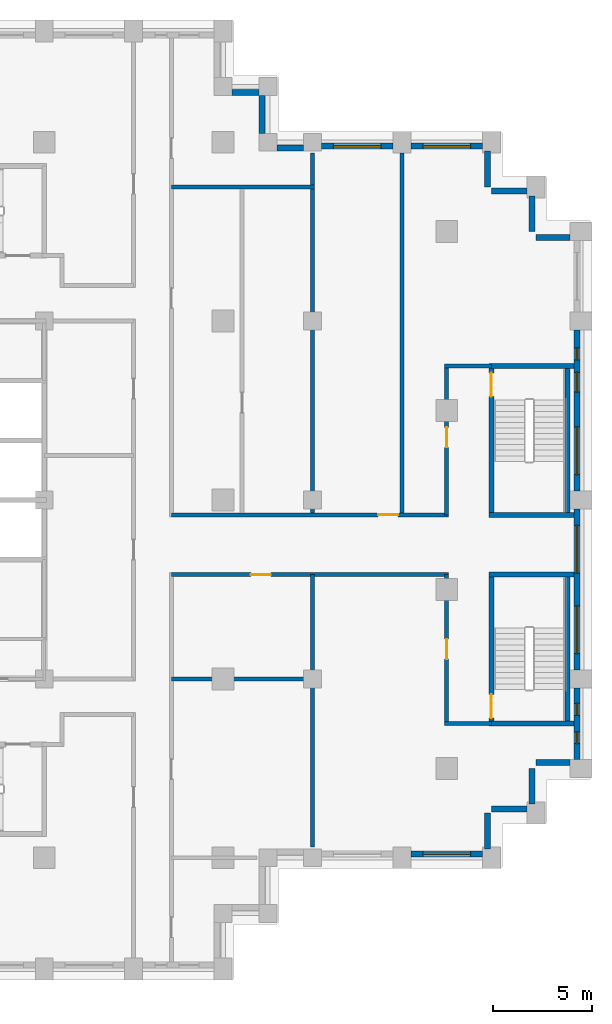
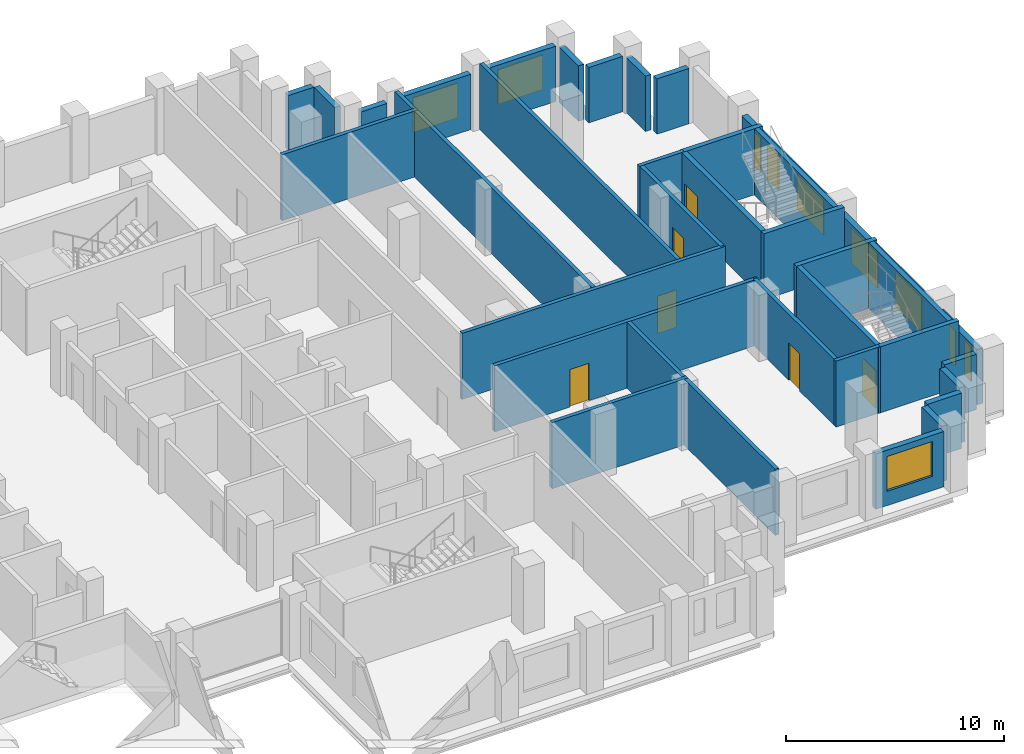
# One storey, part 12 of 16: 36 walls, 10 windows, 6 doors, 16 openings.
"""IFC4 building model written with IfcOpenShell, lengths in metres."""

from ifc_helpers import new_model, si_unit, direction, frame, frame_2d, origin, place, context, subcontext, project, spatial, rectangle, extrude, material, layer, layer_set, type_object, element, fill, save


model = new_model("IFC4")

# Units and contexts
model_context = context("Model", 3, precision=1e-05, world=origin(), true_north=direction((0.0, 1.0)))
body_context = subcontext(model_context, "Body", "Model", "MODEL_VIEW")
ifc_project = project(units=[si_unit("LENGTHUNIT", "METRE"), si_unit("AREAUNIT", "SQUARE_METRE"), si_unit("VOLUMEUNIT", "CUBIC_METRE"), si_unit("PLANEANGLEUNIT", "RADIAN"), si_unit("MASSUNIT", "GRAM", prefix="KILO")], contexts=[model_context])

# Site, building, storey
site_placement = place(None, origin())
site = spatial("IfcSite", under=ifc_project, at=site_placement, CompositionType="ELEMENT")
building_placement = place(site_placement, origin())
building = spatial("IfcBuilding", under=site, at=building_placement, Name="Corbelhall Arena Tower", CompositionType="ELEMENT")
storey_placement = place(building_placement, frame((0.0, 0.0, 154.0)))
storey = spatial("IfcBuildingStorey", under=building, at=storey_placement, Name="L30", CompositionType="ELEMENT", Elevation=154.0)

# Walls
ifc_material_1 = material(Name="Precast concrete C40/50 with granite facing", Category="masonry")
ifc_layer_1 = layer(ifc_material_1, 0.300048828125)
ifc_layer_set_1 = layer_set([ifc_layer_1], Name="EV-IW1 Infill panel 300")
wall_type_1 = type_object("IfcWallType", Name="EV-IW1 Infill panel 300", PredefinedType="SOLIDWALL", material=ifc_layer_set_1)
for number, where, z_axis, x_axis, name in (
    (1, (35.800048828125, -17.550048828125, 0.0), (0.0, 0.0, 1.0), (0.0, 1.0, 0.0), "Infill panel IW1"),
    (2, (37.800048828125, -15.550048828125, 0.0), (0.0, 0.0, 1.0), (-1.0, 0.0, 0.0), "Infill panel IW1"),
    (3, (38.050048828125, -15.300048828125, 0.0), (0.0, 0.0, 1.0), (0.0, 1.0, 0.0), "Infill panel IW1"),
):
    element("IfcWall", number, at=place(storey_placement, frame(where, z_axis=z_axis, x_axis=x_axis)), inside=storey, type_object=wall_type_1, Name=name, PredefinedType="SOLIDWALL", context=body_context, shape_type="SweptSolid", body=[
        extrude(rectangle(XDim=1.800048828125, YDim=0.300048828125, at=frame_2d((0.89990234375, 0.0))), origin(), (0.0, 0.0, 1.0), 3.10009765625),
    ])
for number, where, z_axis, x_axis, name in (
    (4, (39.949951171875, -13.199951171875, 0.0), (0.0, 0.0, 1.0), (-1.0, 0.0, 0.0), "Infill panel IW1"),
    (5, (39.949951171875, 13.199951171875, 0.0), (0.0, 0.0, 1.0), (-1.0, 0.0, 0.0), "Infill panel IW1"),
):
    element("IfcWall", number, at=place(storey_placement, frame(where, z_axis=z_axis, x_axis=x_axis)), inside=storey, type_object=wall_type_1, Name=name, PredefinedType="SOLIDWALL", context=body_context, shape_type="SweptSolid", body=[
        extrude(rectangle(XDim=1.699951171875, YDim=0.300048828125, at=frame_2d((0.85009765625, 0.0))), origin(), (0.0, 0.0, 1.0), 3.10009765625),
    ])
for number, where, z_axis, x_axis, name in (
    (6, (38.050048828125, 15.300048828125, 0.0), (0.0, 0.0, 1.0), (0.0, -1.0, 0.0), "Infill panel IW1"),
    (7, (37.800048828125, 15.550048828125, 0.0), (0.0, 0.0, 1.0), (-1.0, 0.0, 0.0), "Infill panel IW1"),
    (8, (35.800048828125, 17.550048828125, 0.0), (0.0, 0.0, 1.0), (0.0, -1.0, 0.0), "Infill panel IW1"),
):
    element("IfcWall", number, at=place(storey_placement, frame(where, z_axis=z_axis, x_axis=x_axis)), inside=storey, type_object=wall_type_1, Name=name, PredefinedType="SOLIDWALL", context=body_context, shape_type="SweptSolid", body=[
        extrude(rectangle(XDim=1.800048828125, YDim=0.300048828125, at=frame_2d((0.89990234375, 0.0))), origin(), (0.0, 0.0, 1.0), 3.10009765625),
    ])

# Wall, opening, window
wall_1_placement = place(storey_placement, frame((31.949951171875, -17.800048828125, 0.0), z_axis=(0.0, 0.0, 1.0), x_axis=(1.0, 0.0, 0.0)))
wall_1 = element("IfcWall", 9, at=wall_1_placement, inside=storey, type_object=wall_type_1, Name="Infill panel IW1", PredefinedType="SOLIDWALL", context=body_context, shape_type="SweptSolid", body=[
    extrude(rectangle(XDim=3.60009765625, YDim=0.300048828125, at=frame_2d((1.800048828125, 0.0))), origin(), (0.0, 0.0, 1.0), 3.10009765625),
])
opening_1_placement = place(wall_1_placement, frame((0.60009765625, 0.0, 0.800048828125)))
opening_1 = element("IfcOpeningElement", 10, at=opening_1_placement, cuts=wall_1, Name="Opening WN1", PredefinedType="OPENING", context=body_context, shape_type="SweptSolid", body=[
    extrude(rectangle(XDim=2.39990234375, YDim=1.949951171875, at=frame_2d((1.199951171875, 0.97509765625))), frame((0.0, 0.14990234375, 0.0), z_axis=(0.0, -1.0, 0.0), x_axis=(1.0, 0.0, 0.0)), (0.0, 0.0, 1.0), 0.300048828125),
])
ifc_material_2 = material(Name="Aluminium black anodised", Category="aluminium")
window_type_1 = type_object("IfcWindowType", Name="EV-WN1 Office window", PartitioningType="SINGLE_PANEL", PredefinedType="WINDOW", material=ifc_material_2)
window_1_placement = place(opening_1_placement, origin())
window_1 = element("IfcWindow", 11, at=window_1_placement, inside=storey, type_object=window_type_1, Name="Window WN1", OverallHeight=1.949951171875, OverallWidth=2.39990234375, PartitioningType="SINGLE_PANEL", PredefinedType="WINDOW", context=body_context, shape_type="SweptSolid", body=[
    extrude(rectangle(XDim=2.39990234375, YDim=1.949951171875, at=frame_2d((1.199951171875, 0.97509765625))), frame((0.0, 0.030029296875, 0.0), z_axis=(0.0, -1.0, 0.0), x_axis=(1.0, 0.0, 0.0)), (0.0, 0.0, 1.0), 0.06005859375),
])
fill(opening_1, window_1)

# Wall, openings, windows
wall_2_placement = place(storey_placement, frame((40.300048828125, -13.050048828125, 0.0), z_axis=(0.0, 0.0, 1.0), x_axis=(0.0, 1.0, 0.0)))
wall_2 = element("IfcWall", 12, at=wall_2_placement, inside=storey, type_object=wall_type_1, Name="Infill panel IW1", PredefinedType="SOLIDWALL", context=body_context, shape_type="SweptSolid", body=[
    extrude(rectangle(XDim=3.60009765625, YDim=0.300048828125, at=frame_2d((1.800048828125, 0.0))), origin(), (0.0, 0.0, 1.0), 3.10009765625),
])
opening_2_placement = place(wall_2_placement, frame((0.78759765625, 0.0, 0.800048828125)))
opening_2 = element("IfcOpeningElement", 13, at=opening_2_placement, cuts=wall_2, Name="Opening WN5", PredefinedType="OPENING", context=body_context, shape_type="SweptSolid", body=[
    extrude(rectangle(XDim=0.60009765625, YDim=1.949951171875, at=frame_2d((0.300048828125, 0.97509765625))), frame((0.0, 0.14990234375, 0.0), z_axis=(0.0, -1.0, 0.0), x_axis=(1.0, 0.0, 0.0)), (0.0, 0.0, 1.0), 0.300048828125),
])
opening_3_placement = place(wall_2_placement, frame((2.21240234375, 0.0, 0.800048828125)))
opening_3 = element("IfcOpeningElement", 14, at=opening_3_placement, cuts=wall_2, Name="Opening WN5", PredefinedType="OPENING", context=body_context, shape_type="SweptSolid", body=[
    extrude(rectangle(XDim=0.60009765625, YDim=1.949951171875, at=frame_2d((0.300048828125, 0.97509765625))), frame((0.0, 0.14990234375, 0.0), z_axis=(0.0, -1.0, 0.0), x_axis=(1.0, 0.0, 0.0)), (0.0, 0.0, 1.0), 0.300048828125),
])
window_type_2 = type_object("IfcWindowType", Name="EV-WN5 Office window 600", PartitioningType="SINGLE_PANEL", PredefinedType="WINDOW", material=ifc_material_2)
window_2_placement = place(opening_2_placement, origin())
window_2 = element("IfcWindow", 15, at=window_2_placement, inside=storey, type_object=window_type_2, Name="Window WN5", OverallHeight=1.949951171875, OverallWidth=0.60009765625, PartitioningType="SINGLE_PANEL", PredefinedType="WINDOW", context=body_context, shape_type="SweptSolid", body=[
    extrude(rectangle(XDim=0.60009765625, YDim=1.949951171875, at=frame_2d((0.300048828125, 0.97509765625))), frame((0.0, 0.030029296875, 0.0), z_axis=(0.0, -1.0, 0.0), x_axis=(1.0, 0.0, 0.0)), (0.0, 0.0, 1.0), 0.06005859375),
])
fill(opening_2, window_2)
window_3_placement = place(opening_3_placement, origin())
window_3 = element("IfcWindow", 16, at=window_3_placement, inside=storey, type_object=window_type_2, Name="Window WN5", OverallHeight=1.949951171875, OverallWidth=0.60009765625, PartitioningType="SINGLE_PANEL", PredefinedType="WINDOW", context=body_context, shape_type="SweptSolid", body=[
    extrude(rectangle(XDim=0.60009765625, YDim=1.949951171875, at=frame_2d((0.300048828125, 0.97509765625))), frame((0.0, 0.030029296875, 0.0), z_axis=(0.0, -1.0, 0.0), x_axis=(1.0, 0.0, 0.0)), (0.0, 0.0, 1.0), 0.06005859375),
])
fill(opening_3, window_3)

wall_3_placement = place(storey_placement, frame((40.300048828125, -8.550048828125, 0.0), z_axis=(0.0, 0.0, 1.0), x_axis=(0.0, 1.0, 0.0)))
wall_3 = element("IfcWall", 17, at=wall_3_placement, inside=storey, type_object=wall_type_1, Name="Infill panel IW1", PredefinedType="SOLIDWALL", context=body_context, shape_type="SweptSolid", body=[
    extrude(rectangle(XDim=8.10009765625, YDim=0.300048828125, at=frame_2d((4.050048828125, 0.0))), origin(), (0.0, 0.0, 1.0), 3.10009765625),
])
opening_4_placement = place(wall_3_placement, frame((0.824951171875, 0.0, 0.800048828125)))
opening_4 = element("IfcOpeningElement", 18, at=opening_4_placement, cuts=wall_3, Name="Opening WN1", PredefinedType="OPENING", context=body_context, shape_type="SweptSolid", body=[
    extrude(rectangle(XDim=2.39990234375, YDim=1.949951171875, at=frame_2d((1.199951171875, 0.97509765625))), frame((0.0, 0.14990234375, 0.0), z_axis=(0.0, -1.0, 0.0), x_axis=(1.0, 0.0, 0.0)), (0.0, 0.0, 1.0), 0.300048828125),
])
opening_5_placement = place(wall_3_placement, frame((4.875, 0.0, 0.800048828125)))
opening_5 = element("IfcOpeningElement", 19, at=opening_5_placement, cuts=wall_3, Name="Opening WN1", PredefinedType="OPENING", context=body_context, shape_type="SweptSolid", body=[
    extrude(rectangle(XDim=2.39990234375, YDim=1.949951171875, at=frame_2d((1.199951171875, 0.97509765625))), frame((0.0, 0.14990234375, 0.0), z_axis=(0.0, -1.0, 0.0), x_axis=(1.0, 0.0, 0.0)), (0.0, 0.0, 1.0), 0.300048828125),
])
window_4_placement = place(opening_4_placement, origin())
window_4 = element("IfcWindow", 20, at=window_4_placement, inside=storey, type_object=window_type_1, Name="Window WN1", OverallHeight=1.949951171875, OverallWidth=2.39990234375, PartitioningType="SINGLE_PANEL", PredefinedType="WINDOW", context=body_context, shape_type="SweptSolid", body=[
    extrude(rectangle(XDim=2.39990234375, YDim=1.949951171875, at=frame_2d((1.199951171875, 0.97509765625))), frame((0.0, 0.030029296875, 0.0), z_axis=(0.0, -1.0, 0.0), x_axis=(1.0, 0.0, 0.0)), (0.0, 0.0, 1.0), 0.06005859375),
])
fill(opening_4, window_4)
window_5_placement = place(opening_5_placement, origin())
window_5 = element("IfcWindow", 21, at=window_5_placement, inside=storey, type_object=window_type_1, Name="Window WN1", OverallHeight=1.949951171875, OverallWidth=2.39990234375, PartitioningType="SINGLE_PANEL", PredefinedType="WINDOW", context=body_context, shape_type="SweptSolid", body=[
    extrude(rectangle(XDim=2.39990234375, YDim=1.949951171875, at=frame_2d((1.199951171875, 0.97509765625))), frame((0.0, 0.030029296875, 0.0), z_axis=(0.0, -1.0, 0.0), x_axis=(1.0, 0.0, 0.0)), (0.0, 0.0, 1.0), 0.06005859375),
])
fill(opening_5, window_5)

wall_4_placement = place(storey_placement, frame((40.300048828125, 0.449951171875, 0.0), z_axis=(0.0, 0.0, 1.0), x_axis=(0.0, 1.0, 0.0)))
wall_4 = element("IfcWall", 22, at=wall_4_placement, inside=storey, type_object=wall_type_1, Name="Infill panel IW1", PredefinedType="SOLIDWALL", context=body_context, shape_type="SweptSolid", body=[
    extrude(rectangle(XDim=8.10009765625, YDim=0.300048828125, at=frame_2d((4.050048828125, 0.0))), origin(), (0.0, 0.0, 1.0), 3.10009765625),
])
opening_6_placement = place(wall_4_placement, frame((0.824951171875, 0.0, 0.800048828125)))
opening_6 = element("IfcOpeningElement", 23, at=opening_6_placement, cuts=wall_4, Name="Opening WN1", PredefinedType="OPENING", context=body_context, shape_type="SweptSolid", body=[
    extrude(rectangle(XDim=2.39990234375, YDim=1.949951171875, at=frame_2d((1.199951171875, 0.97509765625))), frame((0.0, 0.14990234375, 0.0), z_axis=(0.0, -1.0, 0.0), x_axis=(1.0, 0.0, 0.0)), (0.0, 0.0, 1.0), 0.300048828125),
])
opening_7_placement = place(wall_4_placement, frame((4.97509765625, 0.0, 0.800048828125)))
opening_7 = element("IfcOpeningElement", 24, at=opening_7_placement, cuts=wall_4, Name="Opening WN6", PredefinedType="OPENING", context=body_context, shape_type="SweptSolid", body=[
    extrude(rectangle(XDim=1.0, YDim=1.949951171875, at=frame_2d((0.5, 0.97509765625))), frame((0.0, 0.14990234375, 0.0), z_axis=(0.0, -1.0, 0.0), x_axis=(1.0, 0.0, 0.0)), (0.0, 0.0, 1.0), 0.300048828125),
])
opening_8_placement = place(wall_4_placement, frame((6.60009765625, 0.0, 0.800048828125)))
opening_8 = element("IfcOpeningElement", 25, at=opening_8_placement, cuts=wall_4, Name="Opening WN5", PredefinedType="OPENING", context=body_context, shape_type="SweptSolid", body=[
    extrude(rectangle(XDim=0.60009765625, YDim=1.949951171875, at=frame_2d((0.300048828125, 0.97509765625))), frame((0.0, 0.14990234375, 0.0), z_axis=(0.0, -1.0, 0.0), x_axis=(1.0, 0.0, 0.0)), (0.0, 0.0, 1.0), 0.300048828125),
])
window_6_placement = place(opening_6_placement, origin())
window_6 = element("IfcWindow", 26, at=window_6_placement, inside=storey, type_object=window_type_1, Name="Window WN1", OverallHeight=1.949951171875, OverallWidth=2.39990234375, PartitioningType="SINGLE_PANEL", PredefinedType="WINDOW", context=body_context, shape_type="SweptSolid", body=[
    extrude(rectangle(XDim=2.39990234375, YDim=1.949951171875, at=frame_2d((1.199951171875, 0.97509765625))), frame((0.0, 0.030029296875, 0.0), z_axis=(0.0, -1.0, 0.0), x_axis=(1.0, 0.0, 0.0)), (0.0, 0.0, 1.0), 0.06005859375),
])
fill(opening_6, window_6)
window_7_placement = place(opening_8_placement, origin())
window_7 = element("IfcWindow", 27, at=window_7_placement, inside=storey, type_object=window_type_2, Name="Window WN5", OverallHeight=1.949951171875, OverallWidth=0.60009765625, PartitioningType="SINGLE_PANEL", PredefinedType="WINDOW", context=body_context, shape_type="SweptSolid", body=[
    extrude(rectangle(XDim=0.60009765625, YDim=1.949951171875, at=frame_2d((0.300048828125, 0.97509765625))), frame((0.0, 0.030029296875, 0.0), z_axis=(0.0, -1.0, 0.0), x_axis=(1.0, 0.0, 0.0)), (0.0, 0.0, 1.0), 0.06005859375),
])
fill(opening_8, window_7)
window_type_3 = type_object("IfcWindowType", Name="EV-WN6 Office window 1000", PartitioningType="SINGLE_PANEL", PredefinedType="WINDOW", material=ifc_material_2)
window_8_placement = place(opening_7_placement, origin())
window_8 = element("IfcWindow", 28, at=window_8_placement, inside=storey, type_object=window_type_3, Name="Window WN6", OverallHeight=1.949951171875, OverallWidth=1.0, PartitioningType="SINGLE_PANEL", PredefinedType="WINDOW", context=body_context, shape_type="SweptSolid", body=[
    extrude(rectangle(XDim=1.0, YDim=1.949951171875, at=frame_2d((0.5, 0.97509765625))), frame((0.0, 0.030029296875, 0.0), z_axis=(0.0, -1.0, 0.0), x_axis=(1.0, 0.0, 0.0)), (0.0, 0.0, 1.0), 0.06005859375),
])
fill(opening_7, window_8)

# Wall, opening, window
wall_5_placement = place(storey_placement, frame((35.550048828125, 17.800048828125, 0.0), z_axis=(0.0, 0.0, 1.0), x_axis=(-1.0, 0.0, 0.0)))
wall_5 = element("IfcWall", 29, at=wall_5_placement, inside=storey, type_object=wall_type_1, Name="Infill panel IW1", PredefinedType="SOLIDWALL", context=body_context, shape_type="SweptSolid", body=[
    extrude(rectangle(XDim=3.60009765625, YDim=0.300048828125, at=frame_2d((1.800048828125, 0.0))), origin(), (0.0, 0.0, 1.0), 3.10009765625),
])
opening_9_placement = place(wall_5_placement, frame((0.60009765625, 0.0, 0.800048828125)))
opening_9 = element("IfcOpeningElement", 30, at=opening_9_placement, cuts=wall_5, Name="Opening WN1", PredefinedType="OPENING", context=body_context, shape_type="SweptSolid", body=[
    extrude(rectangle(XDim=2.39990234375, YDim=1.949951171875, at=frame_2d((1.199951171875, 0.97509765625))), frame((0.0, 0.14990234375, 0.0), z_axis=(0.0, -1.0, 0.0), x_axis=(1.0, 0.0, 0.0)), (0.0, 0.0, 1.0), 0.300048828125),
])
window_9_placement = place(opening_9_placement, origin())
window_9 = element("IfcWindow", 31, at=window_9_placement, inside=storey, type_object=window_type_1, Name="Window WN1", OverallHeight=1.949951171875, OverallWidth=2.39990234375, PartitioningType="SINGLE_PANEL", PredefinedType="WINDOW", context=body_context, shape_type="SweptSolid", body=[
    extrude(rectangle(XDim=2.39990234375, YDim=1.949951171875, at=frame_2d((1.199951171875, 0.97509765625))), frame((0.0, 0.030029296875, 0.0), z_axis=(0.0, -1.0, 0.0), x_axis=(1.0, 0.0, 0.0)), (0.0, 0.0, 1.0), 0.06005859375),
])
fill(opening_9, window_9)

wall_6_placement = place(storey_placement, frame((31.050048828125, 17.800048828125, 0.0), z_axis=(0.0, 0.0, 1.0), x_axis=(-1.0, 0.0, 0.0)))
wall_6 = element("IfcWall", 32, at=wall_6_placement, inside=storey, type_object=wall_type_1, Name="Infill panel IW1", PredefinedType="SOLIDWALL", context=body_context, shape_type="SweptSolid", body=[
    extrude(rectangle(XDim=3.60009765625, YDim=0.300048828125, at=frame_2d((1.800048828125, 0.0))), origin(), (0.0, 0.0, 1.0), 3.10009765625),
])
opening_10_placement = place(wall_6_placement, frame((0.60009765625, 0.0, 0.800048828125)))
opening_10 = element("IfcOpeningElement", 33, at=opening_10_placement, cuts=wall_6, Name="Opening WN1", PredefinedType="OPENING", context=body_context, shape_type="SweptSolid", body=[
    extrude(rectangle(XDim=2.39990234375, YDim=1.949951171875, at=frame_2d((1.199951171875, 0.97509765625))), frame((0.0, 0.14990234375, 0.0), z_axis=(0.0, -1.0, 0.0), x_axis=(1.0, 0.0, 0.0)), (0.0, 0.0, 1.0), 0.300048828125),
])
window_10_placement = place(opening_10_placement, origin())
window_10 = element("IfcWindow", 34, at=window_10_placement, inside=storey, type_object=window_type_1, Name="Window WN1", OverallHeight=1.949951171875, OverallWidth=2.39990234375, PartitioningType="SINGLE_PANEL", PredefinedType="WINDOW", context=body_context, shape_type="SweptSolid", body=[
    extrude(rectangle(XDim=2.39990234375, YDim=1.949951171875, at=frame_2d((1.199951171875, 0.97509765625))), frame((0.0, 0.030029296875, 0.0), z_axis=(0.0, -1.0, 0.0), x_axis=(1.0, 0.0, 0.0)), (0.0, 0.0, 1.0), 0.06005859375),
])
fill(opening_10, window_10)

# Walls
wall_7_placement = place(storey_placement, frame((26.550048828125, 17.699951171875, 0.0), z_axis=(0.0, 0.0, 1.0), x_axis=(-1.0, 0.0, 0.0)))
element("IfcWall", 35, at=wall_7_placement, inside=storey, type_object=wall_type_1, Name="Infill panel IW1", PredefinedType="SOLIDWALL", context=body_context, shape_type="SweptSolid", body=[
    extrude(rectangle(XDim=1.35009765625, YDim=0.300048828125, at=frame_2d((0.675048828125, 0.0))), origin(), (0.0, 0.0, 1.0), 3.10009765625),
])
wall_8_placement = place(storey_placement, frame((24.449951171875, 18.449951171875, 0.0), z_axis=(0.0, 0.0, 1.0), x_axis=(0.0, 1.0, 0.0)))
element("IfcWall", 36, at=wall_8_placement, inside=storey, type_object=wall_type_1, Name="Infill panel IW1", PredefinedType="SOLIDWALL", context=body_context, shape_type="SweptSolid", body=[
    extrude(rectangle(XDim=1.900146484375, YDim=0.300048828125, at=frame_2d((0.9501953125, 0.0))), origin(), (0.0, 0.0, 1.0), 3.10009765625),
])
wall_9_placement = place(storey_placement, frame((24.300048828125, 20.5, 0.0), z_axis=(0.0, 0.0, 1.0), x_axis=(-1.0, 0.0, 0.0)))
element("IfcWall", 37, at=wall_9_placement, inside=storey, type_object=wall_type_1, Name="Infill panel IW1", PredefinedType="SOLIDWALL", context=body_context, shape_type="SweptSolid", body=[
    extrude(rectangle(XDim=1.35009765625, YDim=0.300048828125, at=frame_2d((0.675048828125, 0.0))), origin(), (0.0, 0.0, 1.0), 3.10009765625),
])
ifc_material_3 = material(Name="Gypsum board on steel stud, acoustic", Category="steel")
ifc_layer_2 = layer(ifc_material_3, 0.199951171875)
ifc_layer_set_2 = layer_set([ifc_layer_2], Name="IN-W-DM200")
wall_type_2 = type_object("IfcWallType", Name="IN-W-DM200", PredefinedType="PARTITIONING", material=ifc_layer_set_2)
wall_10_placement = place(storey_placement, frame((19.89990234375, -9.0, 0.0), z_axis=(0.0, 0.0, 1.0), x_axis=(1.0, 0.0, 0.0)))
element("IfcWall", 38, at=wall_10_placement, inside=storey, type_object=wall_type_2, Name="Partition 051", PredefinedType="PARTITIONING", context=body_context, shape_type="SweptSolid", body=[
    extrude(rectangle(XDim=7.2001953125, YDim=0.199951171875, at=frame_2d((3.60009765625, 0.0))), origin(), (0.0, 0.0, 1.0), 3.699951171875),
])

# Wall, opening, door
wall_11_placement = place(storey_placement, frame((19.89990234375, -0.75, 0.0), z_axis=(0.0, 0.0, 1.0), x_axis=(1.0, 0.0, 0.0)))
wall_11 = element("IfcWall", 39, at=wall_11_placement, inside=storey, type_object=wall_type_2, Name="Partition 052", PredefinedType="PARTITIONING", context=body_context, shape_type="SweptSolid", body=[
    extrude(rectangle(XDim=13.9501953125, YDim=0.199951171875, at=frame_2d((6.97509765625, 0.0))), origin(), (0.0, 0.0, 1.0), 3.699951171875),
])
opening_11_placement = place(wall_11_placement, frame((10.39990234375, 0.0, 0.0)))
opening_11 = element("IfcOpeningElement", 40, at=opening_11_placement, cuts=wall_11, Name="Opening 08045", PredefinedType="OPENING", context=body_context, shape_type="SweptSolid", body=[
    extrude(rectangle(XDim=1.0, YDim=2.10009765625, at=frame_2d((0.5, 1.050048828125))), frame((0.0, 0.10009765625, 0.0), z_axis=(0.0, -1.0, 0.0), x_axis=(1.0, 0.0, 0.0)), (0.0, 0.0, 1.0), 0.199951171875),
])
ifc_material_4 = material(Name="Steel door set", Category="steel")
door_type_1 = type_object("IfcDoorType", Name="IN-D-SW100", OperationType="NOTDEFINED", PredefinedType="DOOR", material=ifc_material_4)
door_1_placement = place(opening_11_placement, origin())
door_1 = element("IfcDoor", 41, at=door_1_placement, inside=storey, type_object=door_type_1, Name="Door 045", OperationType="SINGLE_SWING_RIGHT", OverallHeight=2.10009765625, OverallWidth=1.0, PredefinedType="DOOR", context=body_context, shape_type="SweptSolid", body=[
    extrude(rectangle(XDim=1.0, YDim=2.10009765625, at=frame_2d((0.5, 1.050048828125))), frame((0.0, 0.02490234375, 0.0), z_axis=(0.0, -1.0, 0.0), x_axis=(1.0, 0.0, 0.0)), (0.0, 0.0, 1.0), 0.050048828125),
])
fill(opening_11, door_1)

# Walls
wall_12_placement = place(storey_placement, frame((19.89990234375, 15.75, 0.0), z_axis=(0.0, 0.0, 1.0), x_axis=(1.0, 0.0, 0.0)))
element("IfcWall", 42, at=wall_12_placement, inside=storey, type_object=wall_type_2, Name="Partition 053", PredefinedType="PARTITIONING", context=body_context, shape_type="SweptSolid", body=[
    extrude(rectangle(XDim=7.2001953125, YDim=0.199951171875, at=frame_2d((3.60009765625, 0.0))), origin(), (0.0, 0.0, 1.0), 3.699951171875),
])
wall_13_placement = place(storey_placement, frame((27.0, -3.75, 0.0), z_axis=(0.0, 0.0, 1.0), x_axis=(0.0, -1.0, 0.0)))
element("IfcWall", 43, at=wall_13_placement, inside=storey, type_object=wall_type_2, Name="Partition 056", PredefinedType="PARTITIONING", context=body_context, shape_type="SweptSolid", body=[
    extrude(rectangle(XDim=13.699951171875, YDim=0.199951171875, at=frame_2d((6.85009765625, 0.0))), origin(), (0.0, 0.0, 1.0), 3.699951171875),
])
wall_14_placement = place(storey_placement, frame((27.0, 17.449951171875, 0.0), z_axis=(0.0, 0.0, 1.0), x_axis=(0.0, -1.0, 0.0)))
element("IfcWall", 44, at=wall_14_placement, inside=storey, type_object=wall_type_2, Name="Partition 057", PredefinedType="PARTITIONING", context=body_context, shape_type="SweptSolid", body=[
    extrude(rectangle(XDim=18.199951171875, YDim=0.199951171875, at=frame_2d((9.10009765625, 0.0))), origin(), (0.0, 0.0, 1.0), 3.699951171875),
])

# Wall, opening, door
wall_15_placement = place(storey_placement, frame((33.85009765625, -3.75, 0.0), z_axis=(0.0, 0.0, 1.0), x_axis=(-1.0, 0.0, 0.0)))
wall_15 = element("IfcWall", 45, at=wall_15_placement, inside=storey, type_object=wall_type_2, Name="Partition 058", PredefinedType="PARTITIONING", context=body_context, shape_type="SweptSolid", body=[
    extrude(rectangle(XDim=13.9501953125, YDim=0.199951171875, at=frame_2d((6.97509765625, 0.0))), origin(), (0.0, 0.0, 1.0), 3.699951171875),
])
opening_12_placement = place(wall_15_placement, frame((8.949951171875, 0.0, 0.0)))
opening_12 = element("IfcOpeningElement", 46, at=opening_12_placement, cuts=wall_15, Name="Opening 08041", PredefinedType="OPENING", context=body_context, shape_type="SweptSolid", body=[
    extrude(rectangle(XDim=1.0, YDim=2.10009765625, at=frame_2d((0.5, 1.050048828125))), frame((0.0, 0.10009765625, 0.0), z_axis=(0.0, -1.0, 0.0), x_axis=(1.0, 0.0, 0.0)), (0.0, 0.0, 1.0), 0.199951171875),
])
door_2_placement = place(opening_12_placement, origin())
door_2 = element("IfcDoor", 47, at=door_2_placement, inside=storey, type_object=door_type_1, Name="Door 041", OperationType="SINGLE_SWING_RIGHT", OverallHeight=2.10009765625, OverallWidth=1.0, PredefinedType="DOOR", context=body_context, shape_type="SweptSolid", body=[
    extrude(rectangle(XDim=1.0, YDim=2.10009765625, at=frame_2d((0.5, 1.050048828125))), frame((0.0, 0.02490234375, 0.0), z_axis=(0.0, -1.0, 0.0), x_axis=(1.0, 0.0, 0.0)), (0.0, 0.0, 1.0), 0.050048828125),
])
fill(opening_12, door_2)

# Walls
wall_16_placement = place(storey_placement, frame((31.5, 17.449951171875, 0.0), z_axis=(0.0, 0.0, 1.0), x_axis=(0.0, -1.0, 0.0)))
element("IfcWall", 48, at=wall_16_placement, inside=storey, type_object=wall_type_2, Name="Partition 059", PredefinedType="PARTITIONING", context=body_context, shape_type="SweptSolid", body=[
    extrude(rectangle(XDim=18.199951171875, YDim=0.199951171875, at=frame_2d((9.10009765625, 0.0))), origin(), (0.0, 0.0, 1.0), 3.699951171875),
])
wall_17_placement = place(storey_placement, frame((33.64990234375, 6.75, 0.0), z_axis=(0.0, 0.0, 1.0), x_axis=(1.0, 0.0, 0.0)))
element("IfcWall", 49, at=wall_17_placement, inside=storey, type_object=wall_type_2, Name="Partition 060", PredefinedType="PARTITIONING", context=body_context, shape_type="SweptSolid", body=[
    extrude(rectangle(XDim=2.35009765625, YDim=0.199951171875, at=frame_2d((1.175048828125, 0.0))), origin(), (0.0, 0.0, 1.0), 3.699951171875),
])

# Wall, opening, door
wall_18_placement = place(storey_placement, frame((33.75, -11.25, 0.0), z_axis=(0.0, 0.0, 1.0), x_axis=(0.0, 1.0, 0.0)))
wall_18 = element("IfcWall", 50, at=wall_18_placement, inside=storey, type_object=wall_type_2, Name="Partition 061", PredefinedType="PARTITIONING", context=body_context, shape_type="SweptSolid", body=[
    extrude(rectangle(XDim=7.5, YDim=0.199951171875, at=frame_2d((3.75, 0.0))), origin(), (0.0, 0.0, 1.0), 3.699951171875),
])
opening_13_placement = place(wall_18_placement, frame((3.25, 0.0, 0.0)))
opening_13 = element("IfcOpeningElement", 51, at=opening_13_placement, cuts=wall_18, Name="Opening 08047", PredefinedType="OPENING", context=body_context, shape_type="SweptSolid", body=[
    extrude(rectangle(XDim=1.0, YDim=2.10009765625, at=frame_2d((0.5, 1.050048828125))), frame((0.0, 0.10009765625, 0.0), z_axis=(0.0, -1.0, 0.0), x_axis=(1.0, 0.0, 0.0)), (0.0, 0.0, 1.0), 0.199951171875),
])
door_3_placement = place(opening_13_placement, origin())
door_3 = element("IfcDoor", 52, at=door_3_placement, inside=storey, type_object=door_type_1, Name="Door 047", OperationType="SINGLE_SWING_RIGHT", OverallHeight=2.10009765625, OverallWidth=1.0, PredefinedType="DOOR", context=body_context, shape_type="SweptSolid", body=[
    extrude(rectangle(XDim=1.0, YDim=2.10009765625, at=frame_2d((0.5, 1.050048828125))), frame((0.0, 0.02490234375, 0.0), z_axis=(0.0, -1.0, 0.0), x_axis=(1.0, 0.0, 0.0)), (0.0, 0.0, 1.0), 0.050048828125),
])
fill(opening_13, door_3)

wall_19_placement = place(storey_placement, frame((33.75, -0.75, 0.0), z_axis=(0.0, 0.0, 1.0), x_axis=(0.0, 1.0, 0.0)))
wall_19 = element("IfcWall", 53, at=wall_19_placement, inside=storey, type_object=wall_type_2, Name="Partition 062", PredefinedType="PARTITIONING", context=body_context, shape_type="SweptSolid", body=[
    extrude(rectangle(XDim=7.5, YDim=0.199951171875, at=frame_2d((3.75, 0.0))), origin(), (0.0, 0.0, 1.0), 3.699951171875),
])
opening_14_placement = place(wall_19_placement, frame((3.39990234375, 0.0, 0.0)))
opening_14 = element("IfcOpeningElement", 54, at=opening_14_placement, cuts=wall_19, Name="Opening 08046", PredefinedType="OPENING", context=body_context, shape_type="SweptSolid", body=[
    extrude(rectangle(XDim=1.0, YDim=2.10009765625, at=frame_2d((0.5, 1.050048828125))), frame((0.0, 0.10009765625, 0.0), z_axis=(0.0, -1.0, 0.0), x_axis=(1.0, 0.0, 0.0)), (0.0, 0.0, 1.0), 0.199951171875),
])
door_4_placement = place(opening_14_placement, origin())
door_4 = element("IfcDoor", 55, at=door_4_placement, inside=storey, type_object=door_type_1, Name="Door 046", OperationType="SINGLE_SWING_LEFT", OverallHeight=2.10009765625, OverallWidth=1.0, PredefinedType="DOOR", context=body_context, shape_type="SweptSolid", body=[
    extrude(rectangle(XDim=1.0, YDim=2.10009765625, at=frame_2d((0.5, 1.050048828125))), frame((0.0, 0.02490234375, 0.0), z_axis=(0.0, -1.0, 0.0), x_axis=(1.0, 0.0, 0.0)), (0.0, 0.0, 1.0), 0.050048828125),
])
fill(opening_14, door_4)

# Walls
wall_20_placement = place(storey_placement, frame((36.0, -11.25, 0.0), z_axis=(0.0, 0.0, 1.0), x_axis=(-1.0, 0.0, 0.0)))
element("IfcWall", 56, at=wall_20_placement, inside=storey, type_object=wall_type_2, Name="Partition 063", PredefinedType="PARTITIONING", context=body_context, shape_type="SweptSolid", body=[
    extrude(rectangle(XDim=2.35009765625, YDim=0.199951171875, at=frame_2d((1.175048828125, 0.0))), origin(), (0.0, 0.0, 1.0), 3.699951171875),
])
ifc_material_5 = material(Name="Concrete C40/50", Category="concrete")
ifc_layer_3 = layer(ifc_material_5, 0.25)
ifc_layer_set_3 = layer_set([ifc_layer_3], Name="IN-W-ST250")
wall_type_3 = type_object("IfcWallType", Name="IN-W-ST250", PredefinedType="SOLIDWALL", material=ifc_layer_set_3)
wall_21_placement = place(storey_placement, frame((35.875, -0.75, 0.0), z_axis=(0.0, 0.0, 1.0), x_axis=(1.0, 0.0, 0.0)))
element("IfcWall", 57, at=wall_21_placement, inside=storey, type_object=wall_type_3, Name="Shaft wall 123", PredefinedType="SOLIDWALL", context=body_context, shape_type="SweptSolid", body=[
    extrude(rectangle(XDim=4.27490234375, YDim=0.25, at=frame_2d((2.137451171875, 0.0))), origin(), (0.0, 0.0, 1.0), 3.699951171875),
])

# Wall, opening, door
wall_22_placement = place(storey_placement, frame((36.0, -11.375, 0.0), z_axis=(0.0, 0.0, 1.0), x_axis=(0.0, 1.0, 0.0)))
wall_22 = element("IfcWall", 58, at=wall_22_placement, inside=storey, type_object=wall_type_3, Name="Shaft wall 124", PredefinedType="SOLIDWALL", context=body_context, shape_type="SweptSolid", body=[
    extrude(rectangle(XDim=7.625, YDim=0.25, at=frame_2d((3.8125, 0.0))), origin(), (0.0, 0.0, 1.0), 3.699951171875),
])
opening_15_placement = place(wall_22_placement, frame((0.39990234375, 0.0, 0.0)))
opening_15 = element("IfcOpeningElement", 59, at=opening_15_placement, cuts=wall_22, Name="Opening 08021", PredefinedType="OPENING", context=body_context, shape_type="SweptSolid", body=[
    extrude(rectangle(XDim=1.199951171875, YDim=2.10009765625, at=frame_2d((0.60009765625, 1.050048828125))), frame((0.0, 0.125, 0.0), z_axis=(0.0, -1.0, 0.0), x_axis=(1.0, 0.0, 0.0)), (0.0, 0.0, 1.0), 0.25),
])
door_type_2 = type_object("IfcDoorType", Name="IN-D-ST120", OperationType="NOTDEFINED", PredefinedType="DOOR", material=ifc_material_4)
door_5_placement = place(opening_15_placement, origin())
door_5 = element("IfcDoor", 60, at=door_5_placement, inside=storey, type_object=door_type_2, Name="Door 021", OperationType="SINGLE_SWING_RIGHT", OverallHeight=2.10009765625, OverallWidth=1.199951171875, PredefinedType="DOOR", context=body_context, shape_type="SweptSolid", body=[
    extrude(rectangle(XDim=1.199951171875, YDim=2.10009765625, at=frame_2d((0.60009765625, 1.050048828125))), frame((0.0, 0.02490234375, 0.0), z_axis=(0.0, -1.0, 0.0), x_axis=(1.0, 0.0, 0.0)), (0.0, 0.0, 1.0), 0.050048828125),
])
fill(opening_15, door_5)

wall_23_placement = place(storey_placement, frame((36.0, -0.75, 0.0), z_axis=(0.0, 0.0, 1.0), x_axis=(0.0, 1.0, 0.0)))
wall_23 = element("IfcWall", 61, at=wall_23_placement, inside=storey, type_object=wall_type_3, Name="Shaft wall 125", PredefinedType="SOLIDWALL", context=body_context, shape_type="SweptSolid", body=[
    extrude(rectangle(XDim=7.625, YDim=0.25, at=frame_2d((3.8125, 0.0))), origin(), (0.0, 0.0, 1.0), 3.699951171875),
])
opening_16_placement = place(wall_23_placement, frame((5.949951171875, 0.0, 0.0)))
opening_16 = element("IfcOpeningElement", 62, at=opening_16_placement, cuts=wall_23, Name="Opening 08022", PredefinedType="OPENING", context=body_context, shape_type="SweptSolid", body=[
    extrude(rectangle(XDim=1.199951171875, YDim=2.10009765625, at=frame_2d((0.60009765625, 1.050048828125))), frame((0.0, 0.125, 0.0), z_axis=(0.0, -1.0, 0.0), x_axis=(1.0, 0.0, 0.0)), (0.0, 0.0, 1.0), 0.25),
])
door_6_placement = place(opening_16_placement, origin())
door_6 = element("IfcDoor", 63, at=door_6_placement, inside=storey, type_object=door_type_2, Name="Door 022", OperationType="SINGLE_SWING_LEFT", OverallHeight=2.10009765625, OverallWidth=1.199951171875, PredefinedType="DOOR", context=body_context, shape_type="SweptSolid", body=[
    extrude(rectangle(XDim=1.199951171875, YDim=2.10009765625, at=frame_2d((0.60009765625, 1.050048828125))), frame((0.0, 0.02490234375, 0.0), z_axis=(0.0, -1.0, 0.0), x_axis=(1.0, 0.0, 0.0)), (0.0, 0.0, 1.0), 0.050048828125),
])
fill(opening_16, door_6)

# Walls
for number, where, z_axis, x_axis, name in (
    (64, (36.0, 6.75, 0.0), (0.0, 0.0, 1.0), (1.0, 0.0, 0.0), "Shaft wall 126"),
    (65, (40.14990234375, -11.25, 0.0), (0.0, 0.0, 1.0), (-1.0, 0.0, 0.0), "Shaft wall 127"),
):
    element("IfcWall", number, at=place(storey_placement, frame(where, z_axis=z_axis, x_axis=x_axis)), inside=storey, type_object=wall_type_3, Name=name, PredefinedType="SOLIDWALL", context=body_context, shape_type="SweptSolid", body=[
        extrude(rectangle(XDim=4.14990234375, YDim=0.25, at=frame_2d((2.074951171875, 0.0))), origin(), (0.0, 0.0, 1.0), 3.699951171875),
    ])
wall_24_placement = place(storey_placement, frame((40.14990234375, -3.75, 0.0), z_axis=(0.0, 0.0, 1.0), x_axis=(-1.0, 0.0, 0.0)))
element("IfcWall", 66, at=wall_24_placement, inside=storey, type_object=wall_type_3, Name="Shaft wall 128", PredefinedType="SOLIDWALL", context=body_context, shape_type="SweptSolid", body=[
    extrude(rectangle(XDim=4.27490234375, YDim=0.25, at=frame_2d((2.137451171875, 0.0))), origin(), (0.0, 0.0, 1.0), 3.699951171875),
])
for number, where, z_axis, x_axis, name in (
    (67, (39.824951171875, -11.125, 0.0), (0.0, 0.0, 1.0), (0.0, 1.0, 0.0), "Shaft wall SD1 facade side"),
    (68, (39.824951171875, -0.625, 0.0), (0.0, 0.0, 1.0), (0.0, 1.0, 0.0), "Shaft wall SD2 facade side"),
):
    element("IfcWall", number, at=place(storey_placement, frame(where, z_axis=z_axis, x_axis=x_axis)), inside=storey, type_object=wall_type_3, Name=name, PredefinedType="SOLIDWALL", context=body_context, shape_type="SweptSolid", body=[
        extrude(rectangle(XDim=7.25, YDim=0.25, at=frame_2d((3.625, 0.0))), origin(), (0.0, 0.0, 1.0), 3.699951171875),
    ])

save(model, "model.ifc")
